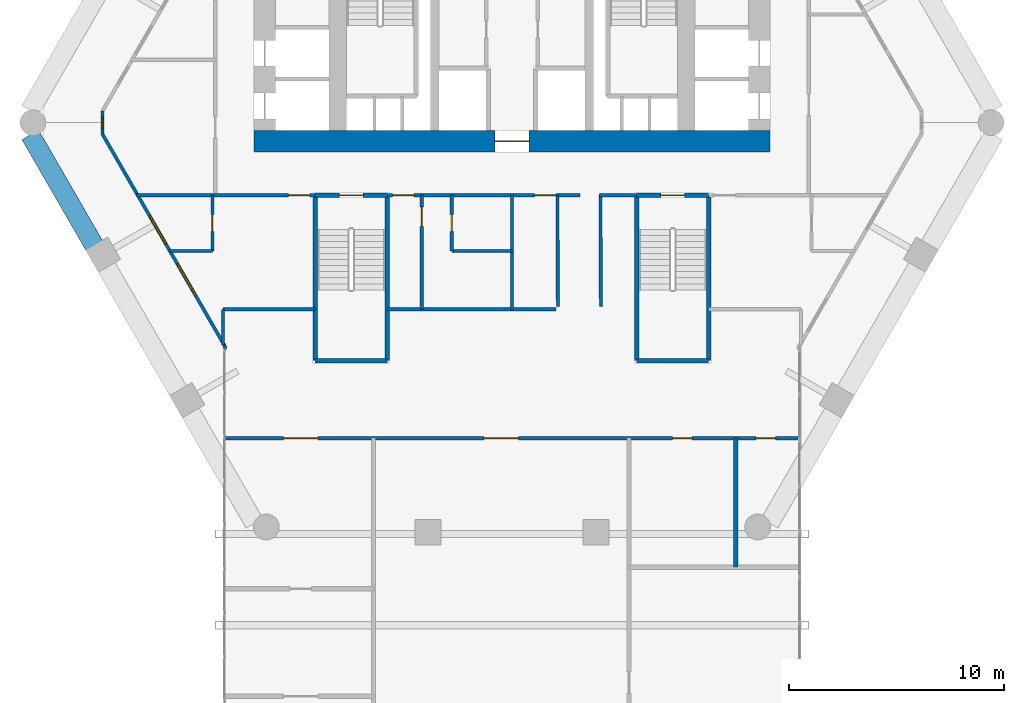
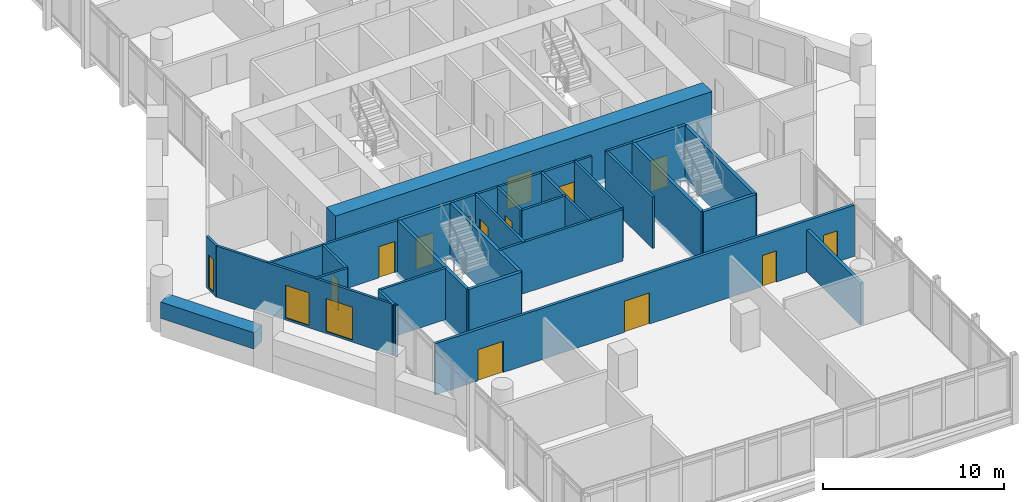
# One storey, part 23 of 28: 29 walls, 13 doors, 3 windows, 16 openings.
"""IFC4 building model written with IfcOpenShell, lengths in metres."""

from ifc_helpers import new_model, si_unit, direction, frame, frame_2d, origin, place, context, subcontext, project, spatial, rectangle, extrude, material, layer, layer_set, type_object, element, fill, save


model = new_model("IFC4")

# Units and contexts
model_context = context("Model", 3, precision=1e-05, world=origin(), true_north=direction((0.0, 1.0)))
body_context = subcontext(model_context, "Body", "Model", "MODEL_VIEW")
ifc_project = project(units=[si_unit("LENGTHUNIT", "METRE"), si_unit("AREAUNIT", "SQUARE_METRE"), si_unit("VOLUMEUNIT", "CUBIC_METRE"), si_unit("PLANEANGLEUNIT", "RADIAN"), si_unit("MASSUNIT", "GRAM", prefix="KILO")], contexts=[model_context])

# Site, building, storey
site_placement = place(None, origin())
site = spatial("IfcSite", under=ifc_project, at=site_placement, CompositionType="ELEMENT")
building_placement = place(site_placement, origin())
building = spatial("IfcBuilding", under=site, at=building_placement, Name="Ostrander Bayou Hotel Tower", CompositionType="ELEMENT")
storey_placement = place(building_placement, frame((0.0, 0.0, 104.25)))
storey = spatial("IfcBuildingStorey", under=building, at=storey_placement, Name="L26", CompositionType="ELEMENT", Elevation=104.25)

# Wall, opening, door
ifc_material_1 = material(Name="Concrete f'c 70 MPa", Category="concrete")
ifc_layer_1 = layer(ifc_material_1, 1.0)
ifc_layer_set_1 = layer_set([ifc_layer_1], Name="CW4 core wall 1000 mm f'c 70 MPa")
wall_type_1 = type_object("IfcWallType", Name="CW4 core wall 1000 mm f'c 70 MPa", PredefinedType="SHEAR", material=ifc_layer_set_1)
wall_1_placement = place(storey_placement, frame((-12.0, -1.199951171875, -0.300048828125), z_axis=(0.0, 0.0, 1.0), x_axis=(1.0, 0.0, 0.0)))
wall_1 = element("IfcWall", 1, at=wall_1_placement, inside=storey, type_object=wall_type_1, Name="CW4 L26 S", PredefinedType="SHEAR", context=body_context, shape_type="SweptSolid", body=[
    extrude(rectangle(XDim=24.0, YDim=1.0, at=frame_2d((12.0, 0.0))), origin(), (0.0, 0.0, 1.0), 3.75),
])
opening_1_placement = place(wall_1_placement, frame((11.199951171875, 0.0, 0.0)))
opening_1 = element("IfcOpeningElement", 2, at=opening_1_placement, cuts=wall_1, Name="Opening T25-001", PredefinedType="OPENING", context=body_context, shape_type="SweptSolid", body=[
    extrude(rectangle(XDim=1.60009765625, YDim=2.10009765625, at=frame_2d((0.800048828125, 1.050048828125))), frame((0.0, 0.5, 0.0), z_axis=(0.0, -1.0, 0.0), x_axis=(1.0, 0.0, 0.0)), (0.0, 0.0, 1.0), 1.0),
])
ifc_material_2 = material(Name="Timber door leaf", Category="wood")
door_type_1 = type_object("IfcDoorType", Name="D13 double door 1600 x 2100 mm, 1 hour", OperationType="SINGLE_SWING_LEFT", PredefinedType="DOOR", material=ifc_material_2)
door_1_placement = place(opening_1_placement, origin())
door_1 = element("IfcDoor", 3, at=door_1_placement, inside=storey, type_object=door_type_1, Name="dr:L26:001", OperationType="DOUBLE_DOOR_SINGLE_SWING", OverallHeight=2.10009765625, OverallWidth=1.60009765625, PredefinedType="DOOR", context=body_context, shape_type="SweptSolid", body=[
    extrude(rectangle(XDim=1.60009765625, YDim=2.10009765625, at=frame_2d((0.800048828125, 1.050048828125))), frame((0.0, 0.02490234375, 0.0), z_axis=(0.0, -1.0, 0.0), x_axis=(1.0, 0.0, 0.0)), (0.0, 0.0, 1.0), 0.050048828125),
])
fill(opening_1, door_1)

# Wall, openings, windows
ifc_material_3 = material(Name="Aluminium framed insulated wall", Category="aluminium")
ifc_layer_2 = layer(ifc_material_3, 0.14990234375)
ifc_layer_set_2 = layer_set([ifc_layer_2], Name="GW1 glass-line wall 150 mm")
wall_type_2 = type_object("IfcWallType", Name="GW1 glass-line wall 150 mm", PredefinedType="SOLIDWALL", material=ifc_layer_set_2)
wall_2_placement = place(storey_placement, frame((-19.046875, -0.85986328125, 0.0), z_axis=(0.0, 0.0, 1.0), x_axis=(0.499999897272, -0.866025463095, 0.0)))
wall_2 = element("IfcWall", 4, at=wall_2_placement, inside=storey, type_object=wall_type_2, Name="GW1 L26 SW 1", PredefinedType="SOLIDWALL", context=body_context, shape_type="SweptSolid", body=[
    extrude(rectangle(XDim=11.42578125, YDim=0.14990234375, at=frame_2d((5.712890625, 0.0))), origin(), (0.0, 0.0, 1.0), 3.449951171875),
])
opening_2_placement = place(wall_2_placement, frame((4.40576171875, 0.0, 0.14990234375)))
opening_2 = element("IfcOpeningElement", 5, at=opening_2_placement, cuts=wall_2, Name="Opening W12", PredefinedType="OPENING", context=body_context, shape_type="SweptSolid", body=[
    extrude(rectangle(XDim=1.5, YDim=2.199951171875, at=frame_2d((0.75, 1.10009765625))), frame((0.0, 0.074951171875, 0.0), z_axis=(0.0, -1.0, 0.0), x_axis=(1.0, 0.0, 0.0)), (0.0, 0.0, 1.0), 0.14990234375),
])
opening_3_placement = place(wall_2_placement, frame((6.978759765625, 0.0, 0.14990234375)))
opening_3 = element("IfcOpeningElement", 6, at=opening_3_placement, cuts=wall_2, Name="Opening W8", PredefinedType="OPENING", context=body_context, shape_type="SweptSolid", body=[
    extrude(rectangle(XDim=1.699951171875, YDim=2.199951171875, at=frame_2d((0.85009765625, 1.10009765625))), frame((0.0, 0.074951171875, 0.0), z_axis=(0.0, -1.0, 0.0), x_axis=(1.0, 0.0, 0.0)), (0.0, 0.0, 1.0), 0.14990234375),
])
ifc_material_4 = material(Name="Aluminium and clear glass", Category="aluminium")
window_type_1 = type_object("IfcWindowType", Name="W12 fixed window 1500 mm, bath bay, zone 2", PartitioningType="SINGLE_PANEL", PredefinedType="WINDOW", material=ifc_material_4)
window_1_placement = place(opening_2_placement, origin())
window_1 = element("IfcWindow", 7, at=window_1_placement, inside=storey, type_object=window_type_1, Name="W12 L26 SW 1", OverallHeight=2.199951171875, OverallWidth=1.5, PartitioningType="SINGLE_PANEL", PredefinedType="WINDOW", context=body_context, shape_type="SweptSolid", body=[
    extrude(rectangle(XDim=1.5, YDim=2.199951171875, at=frame_2d((0.75, 1.10009765625))), frame((0.0, 0.030029296875, 0.0), z_axis=(0.0, -1.0, 0.0), x_axis=(1.0, 0.0, 0.0)), (0.0, 0.0, 1.0), 0.06005859375),
])
fill(opening_2, window_1)
ifc_material_5 = material(Name="Aluminium and clear glass", Category="aluminium")
window_type_2 = type_object("IfcWindowType", Name="W8 fixed window 1700 mm, bar storeys, zone 2", PartitioningType="SINGLE_PANEL", PredefinedType="WINDOW", material=ifc_material_5)
window_2_placement = place(opening_3_placement, origin())
window_2 = element("IfcWindow", 8, at=window_2_placement, inside=storey, type_object=window_type_2, Name="W8 L26 SW 2", OverallHeight=2.199951171875, OverallWidth=1.699951171875, PartitioningType="SINGLE_PANEL", PredefinedType="WINDOW", context=body_context, shape_type="SweptSolid", body=[
    extrude(rectangle(XDim=1.699951171875, YDim=2.199951171875, at=frame_2d((0.85009765625, 1.10009765625))), frame((0.0, 0.030029296875, 0.0), z_axis=(0.0, -1.0, 0.0), x_axis=(1.0, 0.0, 0.0)), (0.0, 0.0, 1.0), 0.06005859375),
])
fill(opening_3, window_2)

# Wall, opening, window
wall_3_placement = place(storey_placement, frame((-19.046875, 0.205078125, 0.0), z_axis=(0.0, 0.0, 1.0), x_axis=(0.0, -1.0, 0.0)))
wall_3 = element("IfcWall", 9, at=wall_3_placement, inside=storey, type_object=wall_type_2, Name="GW1 L26 corner 2", PredefinedType="SOLIDWALL", context=body_context, shape_type="SweptSolid", body=[
    extrude(rectangle(XDim=1.06494140625, YDim=0.14990234375, at=frame_2d((0.532470703125, 0.0))), origin(), (0.0, 0.0, 1.0), 3.449951171875),
])
opening_4_placement = place(wall_3_placement, frame((0.257568359375, 0.0, 0.14990234375)))
opening_4 = element("IfcOpeningElement", 10, at=opening_4_placement, cuts=wall_3, Name="Opening W19", PredefinedType="OPENING", context=body_context, shape_type="SweptSolid", body=[
    extrude(rectangle(XDim=0.550048828125, YDim=2.199951171875, at=frame_2d((0.27490234375, 1.10009765625))), frame((0.0, 0.074951171875, 0.0), z_axis=(0.0, -1.0, 0.0), x_axis=(1.0, 0.0, 0.0)), (0.0, 0.0, 1.0), 0.14990234375),
])
ifc_material_6 = material(Name="Aluminium and clear glass", Category="aluminium")
window_type_3 = type_object("IfcWindowType", Name="W19 corner window 550 mm", PartitioningType="SINGLE_PANEL", PredefinedType="WINDOW", material=ifc_material_6)
window_3_placement = place(opening_4_placement, origin())
window_3 = element("IfcWindow", 11, at=window_3_placement, inside=storey, type_object=window_type_3, Name="W19 L26 corner 2", OverallHeight=2.199951171875, OverallWidth=0.550048828125, PartitioningType="SINGLE_PANEL", PredefinedType="WINDOW", context=body_context, shape_type="SweptSolid", body=[
    extrude(rectangle(XDim=0.550048828125, YDim=2.199951171875, at=frame_2d((0.27490234375, 1.10009765625))), frame((0.0, 0.030029296875, 0.0), z_axis=(0.0, -1.0, 0.0), x_axis=(1.0, 0.0, 0.0)), (0.0, 0.0, 1.0), 0.06005859375),
])
fill(opening_4, window_3)

# Walls
wall_4_placement = place(storey_placement, frame((-13.333984375, -10.7548828125, 0.0), z_axis=(0.0, 0.0, 1.0), x_axis=(-0.337751931921, -0.941235163221, 0.0)))
element("IfcWall", 12, at=wall_4_placement, inside=storey, type_object=wall_type_2, Name="GW1 L26 bar joint 2", PredefinedType="SOLIDWALL", context=body_context, shape_type="SweptSolid", body=[
    extrude(rectangle(XDim=0.098388671875, YDim=0.14990234375, at=frame_2d((0.04931640625, 0.0))), origin(), (0.0, 0.0, 1.0), 3.449951171875),
])
ifc_material_7 = material(Name="Limestone masonry", Category="masonry")
ifc_layer_3 = layer(ifc_material_7, 0.89990234375)
ifc_layer_set_3 = layer_set([ifc_layer_3], Name="PA2 limestone parapet 900 mm")
wall_type_3 = type_object("IfcWallType", Name="PA2 limestone parapet 900 mm", PredefinedType="PARAPET", material=ifc_layer_set_3)
wall_5_placement = place(storey_placement, frame((-22.406494140625, -0.890869140625, 0.0), z_axis=(0.0, 0.0, 1.0), x_axis=(0.500001626982, -0.866024464444, 0.0)))
element("IfcWall", 13, at=wall_5_placement, inside=storey, type_object=wall_type_3, Name="PA2 L26 SW-1", PredefinedType="PARAPET", context=body_context, shape_type="SweptSolid", body=[
    extrude(rectangle(XDim=5.955078125, YDim=0.89990234375, at=frame_2d((2.9775390625, 0.0))), origin(), (0.0, 0.0, 1.0), 1.10009765625),
])
ifc_material_8 = material(Name="Gypsum board partition", Category="finish")
ifc_layer_4 = layer(ifc_material_8, 0.199951171875)
ifc_layer_set_4 = layer_set([ifc_layer_4], Name="PT3 demising wall 200 mm acoustic double stud, 1 hour")
wall_type_4 = type_object("IfcWallType", Name="PT3 demising wall 200 mm acoustic double stud, 1 hour", PredefinedType="PARTITIONING", material=ifc_layer_set_4)
wall_6_placement = place(storey_placement, frame((10.402099609375, -21.0, 0.0), z_axis=(0.0, 0.0, 1.0), x_axis=(0.0, 1.0, 0.0)))
element("IfcWall", 14, at=wall_6_placement, inside=storey, type_object=wall_type_4, Name="sw:L26:512", PredefinedType="PARTITIONING", context=body_context, shape_type="SweptSolid", body=[
    extrude(rectangle(XDim=6.0, YDim=0.199951171875, at=frame_2d((3.0, 0.0))), origin(), (0.0, 0.0, 1.0), 2.828125),
])

# Wall, openings, doors
ifc_material_9 = material(Name="Gypsum board partition", Category="finish")
ifc_layer_5 = layer(ifc_material_9, 0.175048828125)
ifc_layer_set_5 = layer_set([ifc_layer_5], Name="PT4 corridor wall 175 mm, 1 hour")
wall_type_5 = type_object("IfcWallType", Name="PT4 corridor wall 175 mm, 1 hour", PredefinedType="PARTITIONING", material=ifc_layer_set_5)
wall_7_placement = place(storey_placement, frame((-13.34814453125, -15.0, 0.0), z_axis=(0.0, 0.0, 1.0), x_axis=(1.0, 0.0, 0.0)))
wall_7 = element("IfcWall", 15, at=wall_7_placement, inside=storey, type_object=wall_type_5, Name="sw:L26:500", PredefinedType="PARTITIONING", context=body_context, shape_type="SweptSolid", body=[
    extrude(rectangle(XDim=26.6962890625, YDim=0.175048828125, at=frame_2d((13.34814453125, 0.0))), origin(), (0.0, 0.0, 1.0), 3.449951171875),
])
opening_5_placement = place(wall_7_placement, frame((2.720947265625, 0.0, 0.0)))
opening_5 = element("IfcOpeningElement", 16, at=opening_5_placement, cuts=wall_7, Name="Opening T25-1200", PredefinedType="OPENING", context=body_context, shape_type="SweptSolid", body=[
    extrude(rectangle(XDim=1.60009765625, YDim=2.10009765625, at=frame_2d((0.800048828125, 1.050048828125))), frame((0.0, 0.08740234375, 0.0), z_axis=(0.0, -1.0, 0.0), x_axis=(1.0, 0.0, 0.0)), (0.0, 0.0, 1.0), 0.175048828125),
])
opening_6_placement = place(wall_7_placement, frame((20.8203125, 0.0, 0.0)))
opening_6 = element("IfcOpeningElement", 17, at=opening_6_placement, cuts=wall_7, Name="Opening T25-1204", PredefinedType="OPENING", context=body_context, shape_type="SweptSolid", body=[
    extrude(rectangle(XDim=0.89990234375, YDim=2.10009765625, at=frame_2d((0.449951171875, 1.050048828125))), frame((0.0, 0.08740234375, 0.0), z_axis=(0.0, -1.0, 0.0), x_axis=(1.0, 0.0, 0.0)), (0.0, 0.0, 1.0), 0.175048828125),
])
opening_7_placement = place(wall_7_placement, frame((24.705322265625, 0.0, 0.0)))
opening_7 = element("IfcOpeningElement", 18, at=opening_7_placement, cuts=wall_7, Name="Opening T25-1205", PredefinedType="OPENING", context=body_context, shape_type="SweptSolid", body=[
    extrude(rectangle(XDim=0.89990234375, YDim=2.10009765625, at=frame_2d((0.449951171875, 1.050048828125))), frame((0.0, 0.08740234375, 0.0), z_axis=(0.0, -1.0, 0.0), x_axis=(1.0, 0.0, 0.0)), (0.0, 0.0, 1.0), 0.175048828125),
])
opening_8_placement = place(wall_7_placement, frame((12.048095703125, 0.0, 0.0)))
opening_8 = element("IfcOpeningElement", 19, at=opening_8_placement, cuts=wall_7, Name="Opening T25-1206", PredefinedType="OPENING", context=body_context, shape_type="SweptSolid", body=[
    extrude(rectangle(XDim=1.60009765625, YDim=2.10009765625, at=frame_2d((0.800048828125, 1.050048828125))), frame((0.0, 0.08740234375, 0.0), z_axis=(0.0, -1.0, 0.0), x_axis=(1.0, 0.0, 0.0)), (0.0, 0.0, 1.0), 0.175048828125),
])
door_2_placement = place(opening_5_placement, origin())
door_2 = element("IfcDoor", 20, at=door_2_placement, inside=storey, type_object=door_type_1, Name="dr:L26:1200", OperationType="DOUBLE_DOOR_SINGLE_SWING", OverallHeight=2.10009765625, OverallWidth=1.60009765625, PredefinedType="DOOR", context=body_context, shape_type="SweptSolid", body=[
    extrude(rectangle(XDim=1.60009765625, YDim=2.10009765625, at=frame_2d((0.800048828125, 1.050048828125))), frame((0.0, 0.02490234375, 0.0), z_axis=(0.0, -1.0, 0.0), x_axis=(1.0, 0.0, 0.0)), (0.0, 0.0, 1.0), 0.050048828125),
])
fill(opening_5, door_2)
door_3_placement = place(opening_8_placement, origin())
door_3 = element("IfcDoor", 21, at=door_3_placement, inside=storey, type_object=door_type_1, Name="dr:L26:1206", OperationType="DOUBLE_DOOR_SINGLE_SWING", OverallHeight=2.10009765625, OverallWidth=1.60009765625, PredefinedType="DOOR", context=body_context, shape_type="SweptSolid", body=[
    extrude(rectangle(XDim=1.60009765625, YDim=2.10009765625, at=frame_2d((0.800048828125, 1.050048828125))), frame((0.0, 0.02490234375, 0.0), z_axis=(0.0, -1.0, 0.0), x_axis=(1.0, 0.0, 0.0)), (0.0, 0.0, 1.0), 0.050048828125),
])
fill(opening_8, door_3)
ifc_material_10 = material(Name="Timber door leaf", Category="wood")
door_type_2 = type_object("IfcDoorType", Name="D8 room door 900 x 2100 mm", OperationType="SINGLE_SWING_LEFT", PredefinedType="DOOR", material=ifc_material_10)
door_4_placement = place(opening_6_placement, origin())
door_4 = element("IfcDoor", 22, at=door_4_placement, inside=storey, type_object=door_type_2, Name="dr:L26:1204", OperationType="SINGLE_SWING_RIGHT", OverallHeight=2.10009765625, OverallWidth=0.89990234375, PredefinedType="DOOR", context=body_context, shape_type="SweptSolid", body=[
    extrude(rectangle(XDim=0.89990234375, YDim=2.10009765625, at=frame_2d((0.449951171875, 1.050048828125))), frame((0.0, 0.02490234375, 0.0), z_axis=(0.0, -1.0, 0.0), x_axis=(1.0, 0.0, 0.0)), (0.0, 0.0, 1.0), 0.050048828125),
])
fill(opening_6, door_4)
door_5_placement = place(opening_7_placement, origin())
door_5 = element("IfcDoor", 23, at=door_5_placement, inside=storey, type_object=door_type_2, Name="dr:L26:1205", OperationType="SINGLE_SWING_LEFT", OverallHeight=2.10009765625, OverallWidth=0.89990234375, PredefinedType="DOOR", context=body_context, shape_type="SweptSolid", body=[
    extrude(rectangle(XDim=0.89990234375, YDim=2.10009765625, at=frame_2d((0.449951171875, 1.050048828125))), frame((0.0, 0.02490234375, 0.0), z_axis=(0.0, -1.0, 0.0), x_axis=(1.0, 0.0, 0.0)), (0.0, 0.0, 1.0), 0.050048828125),
])
fill(opening_7, door_5)

# Walls
ifc_material_11 = material(Name="Gypsum board partition", Category="finish")
ifc_layer_6 = layer(ifc_material_11, 0.14990234375)
ifc_layer_set_6 = layer_set([ifc_layer_6], Name="PT8 service band wall 150 mm, 1 hour")
wall_type_6 = type_object("IfcWallType", Name="PT8 service band wall 150 mm, 1 hour", PredefinedType="PARTITIONING", material=ifc_layer_set_6)
wall_8_placement = place(storey_placement, frame((-13.43994140625, -9.010009765625, 0.0), z_axis=(0.0, 0.0, 1.0), x_axis=(1.0, 0.0, 0.0)))
element("IfcWall", 24, at=wall_8_placement, inside=storey, type_object=wall_type_6, Name="gw:L26:001", PredefinedType="PARTITIONING", context=body_context, shape_type="SweptSolid", body=[
    extrude(rectangle(XDim=4.280029296875, YDim=0.14990234375, at=frame_2d((2.14013671875, 0.0))), origin(), (0.0, 0.0, 1.0), 3.449951171875),
])
wall_9_placement = place(storey_placement, frame((-5.7900390625, -9.010009765625, 0.0), z_axis=(0.0, 0.0, 1.0), x_axis=(1.0, 0.0, 0.0)))
element("IfcWall", 25, at=wall_9_placement, inside=storey, type_object=wall_type_6, Name="gw:L26:002", PredefinedType="PARTITIONING", context=body_context, shape_type="SweptSolid", body=[
    extrude(rectangle(XDim=7.844970703125, YDim=0.14990234375, at=frame_2d((3.92236328125, 0.0))), origin(), (0.0, 0.0, 1.0), 3.449951171875),
])
wall_10_placement = place(storey_placement, frame((-15.9580078125, -6.300048828125, 0.0), z_axis=(0.0, 0.0, 1.0), x_axis=(1.0, 0.0, 0.0)))
element("IfcWall", 26, at=wall_10_placement, inside=storey, type_object=wall_type_6, Name="gw:L26:004", PredefinedType="PARTITIONING", context=body_context, shape_type="SweptSolid", body=[
    extrude(rectangle(XDim=2.028076171875, YDim=0.14990234375, at=frame_2d((1.01416015625, 0.0))), origin(), (0.0, 0.0, 1.0), 3.449951171875),
])
wall_11_placement = place(storey_placement, frame((-2.800048828125, -6.300048828125, 0.0), z_axis=(0.0, 0.0, 1.0), x_axis=(1.0, 0.0, 0.0)))
element("IfcWall", 27, at=wall_11_placement, inside=storey, type_object=wall_type_6, Name="gw:L26:005", PredefinedType="PARTITIONING", context=body_context, shape_type="SweptSolid", body=[
    extrude(rectangle(XDim=2.800048828125, YDim=0.14990234375, at=frame_2d((1.39990234375, 0.0))), origin(), (0.0, 0.0, 1.0), 3.449951171875),
])

# Wall, opening, door
wall_12_placement = place(storey_placement, frame((-17.458984375, -3.699951171875, 0.0), z_axis=(0.0, 0.0, 1.0), x_axis=(1.0, 0.0, 0.0)))
wall_12 = element("IfcWall", 28, at=wall_12_placement, inside=storey, type_object=wall_type_6, Name="gw:L26:007", PredefinedType="PARTITIONING", context=body_context, shape_type="SweptSolid", body=[
    extrude(rectangle(XDim=8.299072265625, YDim=0.14990234375, at=frame_2d((4.1494140625, 0.0))), origin(), (0.0, 0.0, 1.0), 3.449951171875),
])
opening_9_placement = place(wall_12_placement, frame((7.05908203125, 0.0, 0.0)))
opening_9 = element("IfcOpeningElement", 29, at=opening_9_placement, cuts=wall_12, Name="Opening T25-403", PredefinedType="OPENING", context=body_context, shape_type="SweptSolid", body=[
    extrude(rectangle(XDim=1.0, YDim=2.10009765625, at=frame_2d((0.5, 1.050048828125))), frame((0.0, 0.074951171875, 0.0), z_axis=(0.0, -1.0, 0.0), x_axis=(1.0, 0.0, 0.0)), (0.0, 0.0, 1.0), 0.14990234375),
])
ifc_material_12 = material(Name="Timber door leaf", Category="wood")
door_type_3 = type_object("IfcDoorType", Name="D1 guest room door 1000 x 2100 mm, 30 minute", OperationType="SINGLE_SWING_LEFT", PredefinedType="DOOR", material=ifc_material_12)
door_6_placement = place(opening_9_placement, origin())
door_6 = element("IfcDoor", 30, at=door_6_placement, inside=storey, type_object=door_type_3, Name="dr:L26:403", OperationType="SINGLE_SWING_RIGHT", OverallHeight=2.10009765625, OverallWidth=1.0, PredefinedType="DOOR", context=body_context, shape_type="SweptSolid", body=[
    extrude(rectangle(XDim=1.0, YDim=2.10009765625, at=frame_2d((0.5, 1.050048828125))), frame((0.0, 0.02490234375, 0.0), z_axis=(0.0, -1.0, 0.0), x_axis=(1.0, 0.0, 0.0)), (0.0, 0.0, 1.0), 0.050048828125),
])
fill(opening_9, door_6)

# Wall, openings, doors
wall_13_placement = place(storey_placement, frame((-5.7900390625, -3.699951171875, 0.0), z_axis=(0.0, 0.0, 1.0), x_axis=(1.0, 0.0, 0.0)))
wall_13 = element("IfcWall", 31, at=wall_13_placement, inside=storey, type_object=wall_type_6, Name="gw:L26:008", PredefinedType="PARTITIONING", context=body_context, shape_type="SweptSolid", body=[
    extrude(rectangle(XDim=8.945068359375, YDim=0.14990234375, at=frame_2d((4.47265625, 0.0))), origin(), (0.0, 0.0, 1.0), 3.449951171875),
])
opening_10_placement = place(wall_13_placement, frame((0.239990234375, 0.0, 0.0)))
opening_10 = element("IfcOpeningElement", 32, at=opening_10_placement, cuts=wall_13, Name="Opening T25-400", PredefinedType="OPENING", context=body_context, shape_type="SweptSolid", body=[
    extrude(rectangle(XDim=1.0, YDim=2.10009765625, at=frame_2d((0.5, 1.050048828125))), frame((0.0, 0.074951171875, 0.0), z_axis=(0.0, -1.0, 0.0), x_axis=(1.0, 0.0, 0.0)), (0.0, 0.0, 1.0), 0.14990234375),
])
opening_11_placement = place(wall_13_placement, frame((6.826904296875, 0.0, 0.0)))
opening_11 = element("IfcOpeningElement", 33, at=opening_11_placement, cuts=wall_13, Name="Opening T25-405", PredefinedType="OPENING", context=body_context, shape_type="SweptSolid", body=[
    extrude(rectangle(XDim=1.0, YDim=2.10009765625, at=frame_2d((0.5, 1.050048828125))), frame((0.0, 0.074951171875, 0.0), z_axis=(0.0, -1.0, 0.0), x_axis=(1.0, 0.0, 0.0)), (0.0, 0.0, 1.0), 0.14990234375),
])
door_7_placement = place(opening_10_placement, origin())
door_7 = element("IfcDoor", 34, at=door_7_placement, inside=storey, type_object=door_type_3, Name="dr:L26:400", OperationType="SINGLE_SWING_LEFT", OverallHeight=2.10009765625, OverallWidth=1.0, PredefinedType="DOOR", context=body_context, shape_type="SweptSolid", body=[
    extrude(rectangle(XDim=1.0, YDim=2.10009765625, at=frame_2d((0.5, 1.050048828125))), frame((0.0, 0.02490234375, 0.0), z_axis=(0.0, -1.0, 0.0), x_axis=(1.0, 0.0, 0.0)), (0.0, 0.0, 1.0), 0.050048828125),
])
fill(opening_10, door_7)
ifc_material_13 = material(Name="Timber door leaf", Category="wood")
door_type_4 = type_object("IfcDoorType", Name="D9 service door 1000 x 2100 mm, 30 minute", OperationType="SINGLE_SWING_LEFT", PredefinedType="DOOR", material=ifc_material_13)
door_8_placement = place(opening_11_placement, origin())
door_8 = element("IfcDoor", 35, at=door_8_placement, inside=storey, type_object=door_type_4, Name="dr:L26:405", OperationType="SINGLE_SWING_LEFT", OverallHeight=2.10009765625, OverallWidth=1.0, PredefinedType="DOOR", context=body_context, shape_type="SweptSolid", body=[
    extrude(rectangle(XDim=1.0, YDim=2.10009765625, at=frame_2d((0.5, 1.050048828125))), frame((0.0, 0.02490234375, 0.0), z_axis=(0.0, -1.0, 0.0), x_axis=(1.0, 0.0, 0.0)), (0.0, 0.0, 1.0), 0.050048828125),
])
fill(opening_11, door_8)

# Walls
wall_14_placement = place(storey_placement, frame((4.074951171875, -3.699951171875, 0.0), z_axis=(0.0, 0.0, 1.0), x_axis=(1.0, 0.0, 0.0)))
element("IfcWall", 36, at=wall_14_placement, inside=storey, type_object=wall_type_6, Name="gw:L26:009", PredefinedType="PARTITIONING", context=body_context, shape_type="SweptSolid", body=[
    extrude(rectangle(XDim=1.715087890625, YDim=0.14990234375, at=frame_2d((0.857421875, 0.0))), origin(), (0.0, 0.0, 1.0), 3.449951171875),
])
wall_15_placement = place(storey_placement, frame((0.0, -9.010009765625, 0.0), z_axis=(0.0, 0.0, 1.0), x_axis=(0.0, 1.0, 0.0)))
element("IfcWall", 37, at=wall_15_placement, inside=storey, type_object=wall_type_6, Name="gw:L26:019", PredefinedType="PARTITIONING", context=body_context, shape_type="SweptSolid", body=[
    extrude(rectangle(XDim=5.31005859375, YDim=0.14990234375, at=frame_2d((2.655029296875, 0.0))), origin(), (0.0, 0.0, 1.0), 3.449951171875),
])

# Wall, opening, door
wall_16_placement = place(storey_placement, frame((-2.800048828125, -6.300048828125, 0.0), z_axis=(0.0, 0.0, 1.0), x_axis=(0.0, 1.0, 0.0)))
wall_16 = element("IfcWall", 38, at=wall_16_placement, inside=storey, type_object=wall_type_6, Name="gw:L26:020", PredefinedType="PARTITIONING", context=body_context, shape_type="SweptSolid", body=[
    extrude(rectangle(XDim=2.60009765625, YDim=0.14990234375, at=frame_2d((1.300048828125, 0.0))), origin(), (0.0, 0.0, 1.0), 3.449951171875),
])
opening_12_placement = place(wall_16_placement, frame((0.89990234375, 0.0, 0.0)))
opening_12 = element("IfcOpeningElement", 39, at=opening_12_placement, cuts=wall_16, Name="Opening T25-402", PredefinedType="OPENING", context=body_context, shape_type="SweptSolid", body=[
    extrude(rectangle(XDim=0.800048828125, YDim=2.10009765625, at=frame_2d((0.39990234375, 1.050048828125))), frame((0.0, 0.074951171875, 0.0), z_axis=(0.0, -1.0, 0.0), x_axis=(1.0, 0.0, 0.0)), (0.0, 0.0, 1.0), 0.14990234375),
])
ifc_material_14 = material(Name="Timber door leaf", Category="wood")
door_type_5 = type_object("IfcDoorType", Name="D2 bathroom door 800 x 2100 mm", OperationType="SINGLE_SWING_LEFT", PredefinedType="DOOR", material=ifc_material_14)
door_9_placement = place(opening_12_placement, origin())
door_9 = element("IfcDoor", 40, at=door_9_placement, inside=storey, type_object=door_type_5, Name="dr:L26:402", OperationType="SINGLE_SWING_RIGHT", OverallHeight=2.10009765625, OverallWidth=0.800048828125, PredefinedType="DOOR", context=body_context, shape_type="SweptSolid", body=[
    extrude(rectangle(XDim=0.800048828125, YDim=2.10009765625, at=frame_2d((0.39990234375, 1.050048828125))), frame((0.0, 0.02490234375, 0.0), z_axis=(0.0, -1.0, 0.0), x_axis=(1.0, 0.0, 0.0)), (0.0, 0.0, 1.0), 0.050048828125),
])
fill(opening_12, door_9)

wall_17_placement = place(storey_placement, frame((-4.199951171875, -9.010009765625, 0.0), z_axis=(0.0, 0.0, 1.0), x_axis=(0.0, 1.0, 0.0)))
wall_17 = element("IfcWall", 41, at=wall_17_placement, inside=storey, type_object=wall_type_6, Name="gw:L26:021", PredefinedType="PARTITIONING", context=body_context, shape_type="SweptSolid", body=[
    extrude(rectangle(XDim=5.31005859375, YDim=0.14990234375, at=frame_2d((2.655029296875, 0.0))), origin(), (0.0, 0.0, 1.0), 3.449951171875),
])
opening_13_placement = place(wall_17_placement, frame((3.860107421875, 0.0, 0.0)))
opening_13 = element("IfcOpeningElement", 42, at=opening_13_placement, cuts=wall_17, Name="Opening T25-401", PredefinedType="OPENING", context=body_context, shape_type="SweptSolid", body=[
    extrude(rectangle(XDim=0.89990234375, YDim=2.10009765625, at=frame_2d((0.449951171875, 1.050048828125))), frame((0.0, 0.074951171875, 0.0), z_axis=(0.0, -1.0, 0.0), x_axis=(1.0, 0.0, 0.0)), (0.0, 0.0, 1.0), 0.14990234375),
])
door_10_placement = place(opening_13_placement, origin())
door_10 = element("IfcDoor", 43, at=door_10_placement, inside=storey, type_object=door_type_2, Name="dr:L26:401", OperationType="SINGLE_SWING_RIGHT", OverallHeight=2.10009765625, OverallWidth=0.89990234375, PredefinedType="DOOR", context=body_context, shape_type="SweptSolid", body=[
    extrude(rectangle(XDim=0.89990234375, YDim=2.10009765625, at=frame_2d((0.449951171875, 1.050048828125))), frame((0.0, 0.02490234375, 0.0), z_axis=(0.0, -1.0, 0.0), x_axis=(1.0, 0.0, 0.0)), (0.0, 0.0, 1.0), 0.050048828125),
])
fill(opening_13, door_10)

# Wall
wall_18_placement = place(storey_placement, frame((-13.43994140625, -10.660888671875, 0.0), z_axis=(0.0, 0.0, 1.0), x_axis=(0.0, 1.0, 0.0)))
element("IfcWall", 44, at=wall_18_placement, inside=storey, type_object=wall_type_6, Name="gw:L26:022", PredefinedType="PARTITIONING", context=body_context, shape_type="SweptSolid", body=[
    extrude(rectangle(XDim=1.65087890625, YDim=0.14990234375, at=frame_2d((0.825439453125, 0.0))), origin(), (0.0, 0.0, 1.0), 3.449951171875),
])

# Wall, opening, door
wall_19_placement = place(storey_placement, frame((-13.929931640625, -6.300048828125, 0.0), z_axis=(0.0, 0.0, 1.0), x_axis=(0.0, 1.0, 0.0)))
wall_19 = element("IfcWall", 45, at=wall_19_placement, inside=storey, type_object=wall_type_6, Name="gw:L26:025", PredefinedType="PARTITIONING", context=body_context, shape_type="SweptSolid", body=[
    extrude(rectangle(XDim=2.60009765625, YDim=0.14990234375, at=frame_2d((1.300048828125, 0.0))), origin(), (0.0, 0.0, 1.0), 3.449951171875),
])
opening_14_placement = place(wall_19_placement, frame((0.89990234375, 0.0, 0.0)))
opening_14 = element("IfcOpeningElement", 46, at=opening_14_placement, cuts=wall_19, Name="Opening T25-404", PredefinedType="OPENING", context=body_context, shape_type="SweptSolid", body=[
    extrude(rectangle(XDim=0.800048828125, YDim=2.10009765625, at=frame_2d((0.39990234375, 1.050048828125))), frame((0.0, 0.074951171875, 0.0), z_axis=(0.0, -1.0, 0.0), x_axis=(1.0, 0.0, 0.0)), (0.0, 0.0, 1.0), 0.14990234375),
])
door_11_placement = place(opening_14_placement, origin())
door_11 = element("IfcDoor", 47, at=door_11_placement, inside=storey, type_object=door_type_5, Name="dr:L26:404", OperationType="SINGLE_SWING_RIGHT", OverallHeight=2.10009765625, OverallWidth=0.800048828125, PredefinedType="DOOR", context=body_context, shape_type="SweptSolid", body=[
    extrude(rectangle(XDim=0.800048828125, YDim=2.10009765625, at=frame_2d((0.39990234375, 1.050048828125))), frame((0.0, 0.02490234375, 0.0), z_axis=(0.0, -1.0, 0.0), x_axis=(1.0, 0.0, 0.0)), (0.0, 0.0, 1.0), 0.050048828125),
])
fill(opening_14, door_11)

# Walls
wall_20_placement = place(storey_placement, frame((4.134033203125, -8.8701171875, 0.0), z_axis=(0.0, 0.0, 1.0), x_axis=(-0.003683216269, 0.999993216936, 0.0)))
element("IfcWall", 48, at=wall_20_placement, inside=storey, type_object=wall_type_6, Name="gw:L26:026", PredefinedType="PARTITIONING", context=body_context, shape_type="SweptSolid", body=[
    extrude(rectangle(XDim=5.170166015625, YDim=0.14990234375, at=frame_2d((2.5849609375, 0.0))), origin(), (0.0, 0.0, 1.0), 3.449951171875),
])
wall_21_placement = place(storey_placement, frame((2.134033203125, -8.8701171875, 0.0), z_axis=(0.0, 0.0, 1.0), x_axis=(-0.003686872276, 0.999993203463, 0.0)))
element("IfcWall", 49, at=wall_21_placement, inside=storey, type_object=wall_type_6, Name="gw:L26:027", PredefinedType="PARTITIONING", context=body_context, shape_type="SweptSolid", body=[
    extrude(rectangle(XDim=5.1650390625, YDim=0.14990234375, at=frame_2d((2.58251953125, 0.0))), origin(), (0.0, 0.0, 1.0), 3.449951171875),
])

# Wall, opening, door
ifc_material_15 = material(Name="Concrete f'c 45 MPa", Category="concrete")
ifc_layer_7 = layer(ifc_material_15, 0.199951171875)
ifc_layer_set_7 = layer_set([ifc_layer_7], Name="SW5 stair enclosure wall 200 mm f'c 45 MPa")
wall_type_7 = type_object("IfcWallType", Name="SW5 stair enclosure wall 200 mm f'c 45 MPa", PredefinedType="SOLIDWALL", material=ifc_layer_set_7)
wall_22_placement = place(storey_placement, frame((5.800048828125, -3.699951171875, -0.300048828125), z_axis=(0.0, 0.0, 1.0), x_axis=(1.0, 0.0, 0.0)))
wall_22 = element("IfcWall", 50, at=wall_22_placement, inside=storey, type_object=wall_type_7, Name="cs:L26:017", PredefinedType="SOLIDWALL", context=body_context, shape_type="SweptSolid", body=[
    extrude(rectangle(XDim=3.349853515625, YDim=0.199951171875, at=frame_2d((1.6748046875, 0.0))), origin(), (0.0, 0.0, 1.0), 3.75),
])
opening_15_placement = place(wall_22_placement, frame((1.125, 0.0, 0.0)))
opening_15 = element("IfcOpeningElement", 51, at=opening_15_placement, cuts=wall_22, Name="Opening T25-007", PredefinedType="OPENING", context=body_context, shape_type="SweptSolid", body=[
    extrude(rectangle(XDim=1.10009765625, YDim=2.10009765625, at=frame_2d((0.550048828125, 1.050048828125))), frame((0.0, 0.10009765625, 0.0), z_axis=(0.0, -1.0, 0.0), x_axis=(1.0, 0.0, 0.0)), (0.0, 0.0, 1.0), 0.199951171875),
])
ifc_material_16 = material(Name="Timber door leaf", Category="wood")
door_type_6 = type_object("IfcDoorType", Name="D5 stair door 1100 x 2100 mm, 90 minute", OperationType="SINGLE_SWING_LEFT", PredefinedType="DOOR", material=ifc_material_16)
door_12_placement = place(opening_15_placement, origin())
door_12 = element("IfcDoor", 52, at=door_12_placement, inside=storey, type_object=door_type_6, Name="dr:L26:007", OperationType="SINGLE_SWING_LEFT", OverallHeight=2.10009765625, OverallWidth=1.10009765625, PredefinedType="DOOR", context=body_context, shape_type="SweptSolid", body=[
    extrude(rectangle(XDim=1.10009765625, YDim=2.10009765625, at=frame_2d((0.550048828125, 1.050048828125))), frame((0.0, 0.02490234375, 0.0), z_axis=(0.0, -1.0, 0.0), x_axis=(1.0, 0.0, 0.0)), (0.0, 0.0, 1.0), 0.050048828125),
])
fill(opening_15, door_12)

# Walls
for number, where, z_axis, x_axis, name in (
    (53, (5.800048828125, -3.699951171875, -0.300048828125), (0.0, 0.0, 1.0), (0.0, -1.0, 0.0), "cs:L26:018"),
    (54, (9.14990234375, -3.699951171875, -0.300048828125), (0.0, 0.0, 1.0), (0.0, -1.0, 0.0), "cs:L26:019"),
):
    element("IfcWall", number, at=place(storey_placement, frame(where, z_axis=z_axis, x_axis=x_axis)), inside=storey, type_object=wall_type_7, Name=name, PredefinedType="SOLIDWALL", context=body_context, shape_type="SweptSolid", body=[
        extrude(rectangle(XDim=7.699951171875, YDim=0.199951171875, at=frame_2d((3.85009765625, 0.0))), origin(), (0.0, 0.0, 1.0), 3.75),
    ])
wall_23_placement = place(storey_placement, frame((5.800048828125, -11.39990234375, -0.300048828125), z_axis=(0.0, 0.0, 1.0), x_axis=(1.0, 0.0, 0.0)))
element("IfcWall", 55, at=wall_23_placement, inside=storey, type_object=wall_type_7, Name="cs:L26:020", PredefinedType="SOLIDWALL", context=body_context, shape_type="SweptSolid", body=[
    extrude(rectangle(XDim=3.349853515625, YDim=0.199951171875, at=frame_2d((1.6748046875, 0.0))), origin(), (0.0, 0.0, 1.0), 3.75),
])

# Wall, opening, door
wall_24_placement = place(storey_placement, frame((-9.14990234375, -3.699951171875, -0.300048828125), z_axis=(0.0, 0.0, 1.0), x_axis=(1.0, 0.0, 0.0)))
wall_24 = element("IfcWall", 56, at=wall_24_placement, inside=storey, type_object=wall_type_7, Name="cs:L26:021", PredefinedType="SOLIDWALL", context=body_context, shape_type="SweptSolid", body=[
    extrude(rectangle(XDim=3.349853515625, YDim=0.199951171875, at=frame_2d((1.6748046875, 0.0))), origin(), (0.0, 0.0, 1.0), 3.75),
])
opening_16_placement = place(wall_24_placement, frame((1.125, 0.0, 0.0)))
opening_16 = element("IfcOpeningElement", 57, at=opening_16_placement, cuts=wall_24, Name="Opening T25-008", PredefinedType="OPENING", context=body_context, shape_type="SweptSolid", body=[
    extrude(rectangle(XDim=1.10009765625, YDim=2.10009765625, at=frame_2d((0.550048828125, 1.050048828125))), frame((0.0, 0.10009765625, 0.0), z_axis=(0.0, -1.0, 0.0), x_axis=(1.0, 0.0, 0.0)), (0.0, 0.0, 1.0), 0.199951171875),
])
door_13_placement = place(opening_16_placement, origin())
door_13 = element("IfcDoor", 58, at=door_13_placement, inside=storey, type_object=door_type_6, Name="dr:L26:008", OperationType="SINGLE_SWING_LEFT", OverallHeight=2.10009765625, OverallWidth=1.10009765625, PredefinedType="DOOR", context=body_context, shape_type="SweptSolid", body=[
    extrude(rectangle(XDim=1.10009765625, YDim=2.10009765625, at=frame_2d((0.550048828125, 1.050048828125))), frame((0.0, 0.02490234375, 0.0), z_axis=(0.0, -1.0, 0.0), x_axis=(1.0, 0.0, 0.0)), (0.0, 0.0, 1.0), 0.050048828125),
])
fill(opening_16, door_13)

# Walls
for number, where, z_axis, x_axis, name in (
    (59, (-9.14990234375, -3.699951171875, -0.300048828125), (0.0, 0.0, 1.0), (0.0, -1.0, 0.0), "cs:L26:022"),
    (60, (-5.800048828125, -3.699951171875, -0.300048828125), (0.0, 0.0, 1.0), (0.0, -1.0, 0.0), "cs:L26:023"),
):
    element("IfcWall", number, at=place(storey_placement, frame(where, z_axis=z_axis, x_axis=x_axis)), inside=storey, type_object=wall_type_7, Name=name, PredefinedType="SOLIDWALL", context=body_context, shape_type="SweptSolid", body=[
        extrude(rectangle(XDim=7.699951171875, YDim=0.199951171875, at=frame_2d((3.85009765625, 0.0))), origin(), (0.0, 0.0, 1.0), 3.75),
    ])
wall_25_placement = place(storey_placement, frame((-9.14990234375, -11.39990234375, -0.300048828125), z_axis=(0.0, 0.0, 1.0), x_axis=(1.0, 0.0, 0.0)))
element("IfcWall", 61, at=wall_25_placement, inside=storey, type_object=wall_type_7, Name="cs:L26:024", PredefinedType="SOLIDWALL", context=body_context, shape_type="SweptSolid", body=[
    extrude(rectangle(XDim=3.349853515625, YDim=0.199951171875, at=frame_2d((1.6748046875, 0.0))), origin(), (0.0, 0.0, 1.0), 3.75),
])

save(model, "model.ifc")
